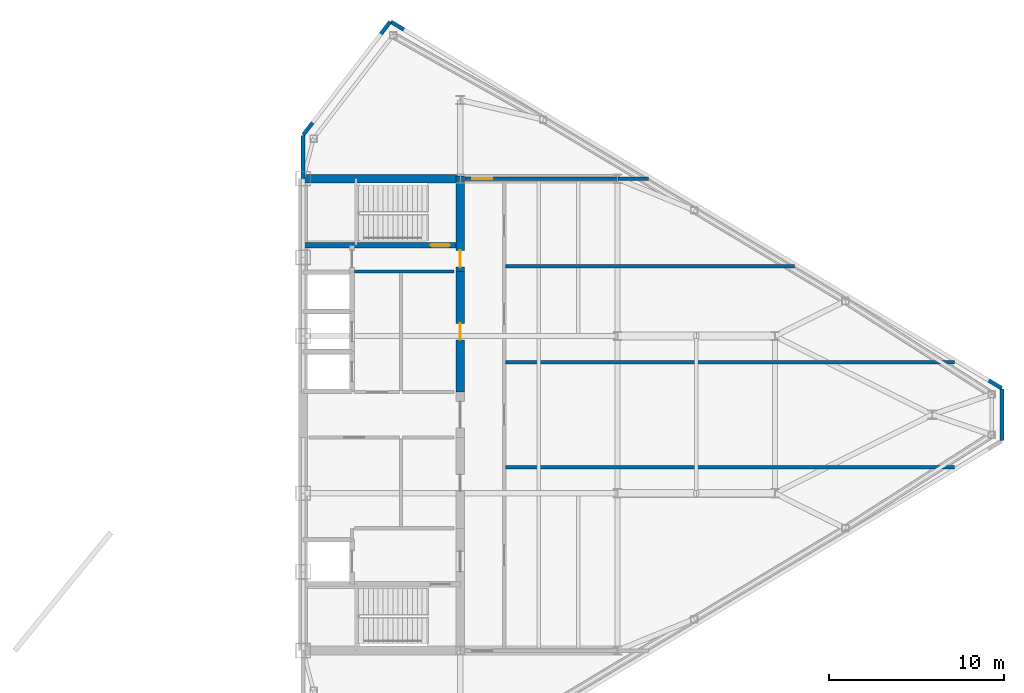
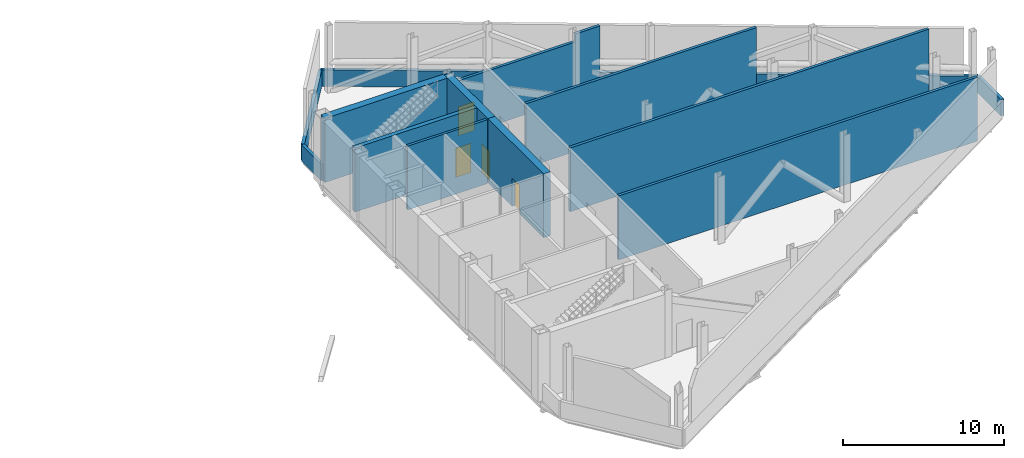
# One storey, part 11 of 13: 14 walls, 4 doors, 4 openings.
"""IFC4 building model written with IfcOpenShell, lengths in metres."""

from ifc_helpers import new_model, si_unit, direction, frame, frame_2d, origin, place, context, subcontext, project, spatial, rectangle, extrude, source, transform, mapped, material, layer, layer_set, type_object, type_shapes, element, fill, save


model = new_model("IFC4")

# Units and contexts
model_context = context("Model", 3, precision=1e-05, world=origin(), true_north=direction((0.0, 1.0)))
body_context = subcontext(model_context, "Body", "Model", "MODEL_VIEW")
ifc_project = project(units=[si_unit("LENGTHUNIT", "METRE"), si_unit("AREAUNIT", "SQUARE_METRE"), si_unit("VOLUMEUNIT", "CUBIC_METRE"), si_unit("PLANEANGLEUNIT", "RADIAN"), si_unit("MASSUNIT", "GRAM", prefix="KILO")], contexts=[model_context])

# Site, building, storey
site_placement = place(None, origin())
site = spatial("IfcSite", under=ifc_project, at=site_placement, CompositionType="ELEMENT")
building_placement = place(site_placement, origin())
building = spatial("IfcBuilding", under=site, at=building_placement, Name="Seokmaru Belvedere", CompositionType="ELEMENT")
storey_placement = place(building_placement, frame((0.0, 0.0, 224.699951171875)))
storey = spatial("IfcBuildingStorey", under=building, at=storey_placement, Name="L60", CompositionType="ELEMENT", Elevation=224.699951171875)

# Walls
ifc_material_1 = material(Name="Fire-Rated Gypsum Shaftwall")
ifc_layer_1 = layer(ifc_material_1, 0.179931640625)
ifc_layer_set_1 = layer_set([ifc_layer_1], Name="Fire-Rated Gypsum Shaftwall")
wall_type_1 = type_object("IfcWallType", Name="Core Service Fire Partition 180", PredefinedType="PARTITIONING", material=ifc_layer_set_1)
wall_1_placement = place(storey_placement, frame((30.449951171875, 8.199951171875, 0.0), z_axis=(0.0, 0.0, 1.0), x_axis=(1.0, 0.0, 0.0)))
element("IfcWall", 1, at=wall_1_placement, inside=storey, type_object=wall_type_1, Name="L60 East Smokeproof Vestibule Partition", PredefinedType="PARTITIONING", context=body_context, shape_type="SweptSolid", body=[
    extrude(rectangle(XDim=5.699951171875, YDim=0.179931640625, at=frame_2d((2.85009765625, 0.0))), origin(), (0.0, 0.0, 1.0), 4.840087890625),
])
ifc_layer_2 = layer(ifc_material_1, 0.199951171875)
ifc_layer_set_2 = layer_set([ifc_layer_2], Name="Fire-Rated Gypsum Shaftwall")
wall_type_2 = type_object("IfcWallType", Name="Inter-Tenancy Fire Compartment Partition 200", PredefinedType="PARTITIONING", material=ifc_layer_set_2)
for number, where, z_axis, x_axis, name in (
    (2, (39.0849609375, -3.0, 0.0), (0.0, 0.0, 1.0), (1.0, 0.0, 0.0), "L60 Interior Partition 004"),
    (3, (39.0849609375, 3.0, 0.0), (0.0, 0.0, 1.0), (1.0, 0.0, 0.0), "L60 Interior Partition 006"),
):
    element("IfcWall", number, at=place(storey_placement, frame(where, z_axis=z_axis, x_axis=x_axis)), inside=storey, type_object=wall_type_2, Name=name, PredefinedType="PARTITIONING", context=body_context, shape_type="SweptSolid", body=[
        extrude(rectangle(XDim=25.691650390625, YDim=0.199951171875, at=frame_2d((12.845703125, 0.0))), origin(), (0.0, 0.0, 1.0), 4.840087890625),
    ])
wall_2_placement = place(storey_placement, frame((39.0849609375, 8.5, 0.0), z_axis=(0.0, 0.0, 1.0), x_axis=(1.0, 0.0, 0.0)))
element("IfcWall", 4, at=wall_2_placement, inside=storey, type_object=wall_type_2, Name="L60 Interior Partition 008", PredefinedType="PARTITIONING", context=body_context, shape_type="SweptSolid", body=[
    extrude(rectangle(XDim=16.52490234375, YDim=0.199951171875, at=frame_2d((8.262451171875, 0.0))), origin(), (0.0, 0.0, 1.0), 4.840087890625),
])

# Wall, opening, door
wall_3_placement = place(storey_placement, frame((36.7548828125, 13.5, 0.0), z_axis=(0.0, 0.0, 1.0), x_axis=(1.0, 0.0, 0.0)))
wall_3 = element("IfcWall", 5, at=wall_3_placement, inside=storey, type_object=wall_type_2, Name="L60 Interior Partition 010", PredefinedType="PARTITIONING", context=body_context, shape_type="SweptSolid", body=[
    extrude(rectangle(XDim=8.76513671875, YDim=0.199951171875, at=frame_2d((4.382568359375, 0.0))), origin(), (0.0, 0.0, 1.0), 4.239990234375),
])
opening_1_placement = place(wall_3_placement, frame((0.419921875, 0.0, 0.0)))
opening_1 = element("IfcOpeningElement", 6, at=opening_1_placement, cuts=wall_3, Name="Opening D02", PredefinedType="OPENING", context=body_context, shape_type="SweptSolid", body=[
    extrude(rectangle(XDim=1.14990234375, YDim=2.199951171875, at=frame_2d((0.574951171875, 1.10009765625))), frame((0.0, 0.10986328125, 0.0), z_axis=(0.0, -1.0, 0.0), x_axis=(1.0, 0.0, 0.0)), (0.0, 0.0, 1.0), 0.219970703125),
])
ifc_material_2 = material(Name="Fire-Rated Steel Leaf", Category="steel")
door_type_1 = type_object("IfcDoorType", Name="Lobby and Vestibule Fire Door 1150x2200", OperationType="NOTDEFINED", PredefinedType="DOOR", material=ifc_material_2)
shared_shape_1 = source(origin(), body_context, "Body", "SweptSolid", [
    extrude(rectangle(XDim=1.14990234375, YDim=2.199951171875, at=frame_2d((0.574951171875, 1.10009765625))), frame((0.0, 0.02490234375, 0.0), z_axis=(0.0, -1.0, 0.0), x_axis=(1.0, 0.0, 0.0)), (0.0, 0.0, 1.0), 0.050048828125),
])
type_shapes(door_type_1, [shared_shape_1])
door_1_placement = place(opening_1_placement, origin())
door_1 = element("IfcDoor", 7, at=door_1_placement, inside=storey, type_object=door_type_1, Name="L60 Interior Door 008", OperationType="SINGLE_SWING_LEFT", OverallHeight=2.199951171875, OverallWidth=1.14990234375, PredefinedType="DOOR", context=body_context, shape_type="MappedRepresentation", body=[
    mapped(shared_shape_1, transform((0.0, 0.0, 0.0), scale=1.0)),
])
fill(opening_1, door_1)

# Wall
wall_4_placement = place(storey_placement, frame((45.52001953125, 13.5, 0.0), z_axis=(0.0, 0.0, 1.0), x_axis=(1.0, 0.0, 0.0)))
element("IfcWall", 8, at=wall_4_placement, inside=storey, type_object=wall_type_2, Name="L60 Interior Partition 010 Part 2", PredefinedType="PARTITIONING", context=body_context, shape_type="SweptSolid", body=[
    extrude(rectangle(XDim=1.756591796875, YDim=0.199951171875, at=frame_2d((0.87841796875, 0.0))), origin(), (0.0, 0.0, 1.0), 4.840087890625),
])

# Wall, opening, door
ifc_material_3 = material(Name="Concrete C50 (50 MPa)", Category="concrete")
ifc_layer_3 = layer(ifc_material_3, 0.300048828125)
ifc_layer_set_3 = layer_set([ifc_layer_3], Name="Concrete C50 (50 MPa)")
wall_type_3 = type_object("IfcWallType", Name="Internal Core Stair and Hoistway Wall 300", PredefinedType="SHEAR", material=ifc_layer_set_3)
wall_5_placement = place(storey_placement, frame((27.5, 9.699951171875, 0.0), z_axis=(0.0, 0.0, 1.0), x_axis=(1.0, 0.0, 0.0)))
wall_5 = element("IfcWall", 9, at=wall_5_placement, inside=storey, type_object=wall_type_3, Name="L60 East Stair ST-2 Enclosure Wall", PredefinedType="SHEAR", context=body_context, shape_type="SweptSolid", body=[
    extrude(rectangle(XDim=9.0, YDim=0.300048828125, at=frame_2d((4.5, 0.0))), origin(), (0.0, 0.0, 1.0), 4.840087890625),
])
opening_2_placement = place(wall_5_placement, frame((7.300048828125, 0.0, 0.0)))
opening_2 = element("IfcOpeningElement", 10, at=opening_2_placement, cuts=wall_5, Name="Opening D01", PredefinedType="OPENING", context=body_context, shape_type="SweptSolid", body=[
    extrude(rectangle(XDim=1.10009765625, YDim=2.199951171875, at=frame_2d((0.550048828125, 1.10009765625))), frame((0.0, 0.16015625, 0.0), z_axis=(0.0, -1.0, 0.0), x_axis=(1.0, 0.0, 0.0)), (0.0, 0.0, 1.0), 0.320068359375),
])
door_type_2 = type_object("IfcDoorType", Name="Special Escape Stair Smokeproof Fire Door 1100x2200", OperationType="NOTDEFINED", PredefinedType="DOOR", material=ifc_material_2)
shared_shape_2 = source(origin(), body_context, "Body", "SweptSolid", [
    extrude(rectangle(XDim=1.10009765625, YDim=2.199951171875, at=frame_2d((0.550048828125, 1.10009765625))), frame((0.0, 0.02490234375, 0.0), z_axis=(0.0, -1.0, 0.0), x_axis=(1.0, 0.0, 0.0)), (0.0, 0.0, 1.0), 0.050048828125),
])
type_shapes(door_type_2, [shared_shape_2])
door_2_placement = place(opening_2_placement, origin())
door_2 = element("IfcDoor", 11, at=door_2_placement, inside=storey, type_object=door_type_2, Name="L60 East Special Escape Stair ST-2 Door", OperationType="SINGLE_SWING_LEFT", OverallHeight=2.199951171875, OverallWidth=1.10009765625, PredefinedType="DOOR", context=body_context, shape_type="MappedRepresentation", body=[
    mapped(shared_shape_2, transform((0.0, 0.0, 0.0), scale=1.0)),
])
fill(opening_2, door_2)

# Walls
ifc_material_4 = material(Name="Concrete C40 (40 MPa)", Category="concrete")
ifc_layer_4 = layer(ifc_material_4, 0.219970703125)
ifc_layer_set_4 = layer_set([ifc_layer_4], Name="Concrete C40 (40 MPa)")
wall_type_4 = type_object("IfcWallType", Name="Refuge and Roof Concrete Parapet 220", PredefinedType="PARAPET", material=ifc_layer_set_4)
wall_6_placement = place(storey_placement, frame((67.5, -1.47998046875, 0.0), z_axis=(0.0, 0.0, 1.0), x_axis=(0.0, 1.0, 0.0)))
element("IfcWall", 12, at=wall_6_placement, inside=storey, type_object=wall_type_4, Name="L60 E Refuge Perimeter Parapet 2", PredefinedType="PARAPET", context=body_context, shape_type="SweptSolid", body=[
    extrude(rectangle(XDim=2.9599609375, YDim=0.219970703125, at=frame_2d((1.47998046875, 0.0))), origin(), (0.0, 0.0, 1.0), 1.25),
])
wall_7_placement = place(storey_placement, frame((67.48291015625, 1.51025390625, 0.0), z_axis=(0.0, 0.0, 1.0), x_axis=(-0.857492925713, 0.514495755428, 0.0)))
element("IfcWall", 13, at=wall_7_placement, inside=storey, type_object=wall_type_4, Name="L60 E Refuge Perimeter Parapet 3", PredefinedType="PARAPET", context=body_context, shape_type="SweptSolid", body=[
    extrude(rectangle(XDim=40.77685546875, YDim=0.219970703125, at=frame_2d((20.388427734375, 0.0))), origin(), (0.0, 0.0, 1.0), 1.25),
])
wall_8_placement = place(storey_placement, frame((32.48779296875, 22.484130859375, 0.0), z_axis=(0.0, 0.0, 1.0), x_axis=(-0.60971076085, -0.792623989105, 0.0)))
element("IfcWall", 14, at=wall_8_placement, inside=storey, type_object=wall_type_4, Name="L60 E Refuge Perimeter Parapet 4", PredefinedType="PARAPET", context=body_context, shape_type="SweptSolid", body=[
    extrude(rectangle(XDim=8.16064453125, YDim=0.219970703125, at=frame_2d((4.080322265625, 0.0))), origin(), (0.0, 0.0, 1.0), 1.25),
])
wall_9_placement = place(storey_placement, frame((27.5, 13.52001953125, 0.0), z_axis=(0.0, 0.0, 1.0), x_axis=(0.0, 1.0, 0.0)))
element("IfcWall", 15, at=wall_9_placement, inside=storey, type_object=wall_type_4, Name="L60 E Refuge Spine Shoulder Parapet 2", PredefinedType="PARAPET", context=body_context, shape_type="SweptSolid", body=[
    extrude(rectangle(XDim=2.4599609375, YDim=0.219970703125, at=frame_2d((1.22998046875, 0.0))), origin(), (0.0, 0.0, 1.0), 1.25),
])
ifc_layer_5 = layer(ifc_material_3, 0.5)
ifc_layer_set_5 = layer_set([ifc_layer_5], Name="Concrete C50 (50 MPa)")
wall_type_5 = type_object("IfcWallType", Name="Upper Tower Reinforced Concrete Core Wall 500", PredefinedType="SHEAR", material=ifc_layer_set_5)
wall_10_placement = place(storey_placement, frame((27.5, 13.5, 0.0), z_axis=(0.0, 0.0, 1.0), x_axis=(1.0, 0.0, 0.0)))
element("IfcWall", 16, at=wall_10_placement, inside=storey, type_object=wall_type_5, Name="L60 East North Core Wall", PredefinedType="SHEAR", context=body_context, shape_type="SweptSolid", body=[
    extrude(rectangle(XDim=9.0, YDim=0.5, at=frame_2d((4.5, 0.0))), origin(), (0.0, 0.0, 1.0), 4.840087890625),
])

# Wall, opening, door
wall_11_placement = place(storey_placement, frame((36.5, 8.199951171875, 0.0), z_axis=(0.0, 0.0, 1.0), x_axis=(0.0, 1.0, 0.0)))
wall_11 = element("IfcWall", 17, at=wall_11_placement, inside=storey, type_object=wall_type_5, Name="L60 East West Core Wall VST", PredefinedType="SHEAR", context=body_context, shape_type="SweptSolid", body=[
    extrude(rectangle(XDim=5.449951171875, YDim=0.5, at=frame_2d((2.72509765625, 0.0))), origin(), (0.0, 0.0, 1.0), 4.840087890625),
])
opening_3_placement = place(wall_11_placement, frame((0.2451171875, 0.0, 0.0)))
opening_3 = element("IfcOpeningElement", 18, at=opening_3_placement, cuts=wall_11, Name="Opening D04", PredefinedType="OPENING", context=body_context, shape_type="SweptSolid", body=[
    extrude(rectangle(XDim=0.949951171875, YDim=2.14990234375, at=frame_2d((0.47509765625, 1.074951171875))), frame((0.0, 0.260009765625, 0.0), z_axis=(0.0, -1.0, 0.0), x_axis=(1.0, 0.0, 0.0)), (0.0, 0.0, 1.0), 0.52001953125),
])
door_type_3 = type_object("IfcDoorType", Name="Core Service Room Fire Door 950x2150", OperationType="NOTDEFINED", PredefinedType="DOOR", material=ifc_material_2)
shared_shape_3 = source(origin(), body_context, "Body", "SweptSolid", [
    extrude(rectangle(XDim=0.949951171875, YDim=2.14990234375, at=frame_2d((0.47509765625, 1.074951171875))), frame((0.0, 0.02490234375, 0.0), z_axis=(0.0, -1.0, 0.0), x_axis=(1.0, 0.0, 0.0)), (0.0, 0.0, 1.0), 0.050048828125),
])
type_shapes(door_type_3, [shared_shape_3])
door_3_placement = place(opening_3_placement, origin())
door_3 = element("IfcDoor", 19, at=door_3_placement, inside=storey, type_object=door_type_3, Name="L60 East Smokeproof Vestibule Door", OperationType="SINGLE_SWING_LEFT", OverallHeight=2.14990234375, OverallWidth=0.949951171875, PredefinedType="DOOR", context=body_context, shape_type="MappedRepresentation", body=[
    mapped(shared_shape_3, transform((0.0, 0.0, 0.0), scale=1.0)),
])
fill(opening_3, door_3)

wall_12_placement = place(storey_placement, frame((36.5, 1.300048828125, 0.0), z_axis=(0.0, 0.0, 1.0), x_axis=(0.0, 1.0, 0.0)))
wall_12 = element("IfcWall", 20, at=wall_12_placement, inside=storey, type_object=wall_type_5, Name="L60 East West Core Wall CS2", PredefinedType="SHEAR", context=body_context, shape_type="SweptSolid", body=[
    extrude(rectangle(XDim=6.89990234375, YDim=0.5, at=frame_2d((3.449951171875, 0.0))), origin(), (0.0, 0.0, 1.0), 4.840087890625),
])
opening_4_placement = place(wall_12_placement, frame((2.97509765625, 0.0, 0.0)))
opening_4 = element("IfcOpeningElement", 21, at=opening_4_placement, cuts=wall_12, Name="Opening D04", PredefinedType="OPENING", context=body_context, shape_type="SweptSolid", body=[
    extrude(rectangle(XDim=0.949951171875, YDim=2.14990234375, at=frame_2d((0.47509765625, 1.074951171875))), frame((0.0, 0.260009765625, 0.0), z_axis=(0.0, -1.0, 0.0), x_axis=(1.0, 0.0, 0.0)), (0.0, 0.0, 1.0), 0.52001953125),
])
door_4_placement = place(opening_4_placement, origin())
door_4 = element("IfcDoor", 22, at=door_4_placement, inside=storey, type_object=door_type_3, Name="L60 East Core Service Room Door 2", OperationType="SINGLE_SWING_LEFT", OverallHeight=2.14990234375, OverallWidth=0.949951171875, PredefinedType="DOOR", context=body_context, shape_type="MappedRepresentation", body=[
    mapped(shared_shape_3, transform((0.0, 0.0, 0.0), scale=1.0)),
])
fill(opening_4, door_4)

save(model, "model.ifc")
